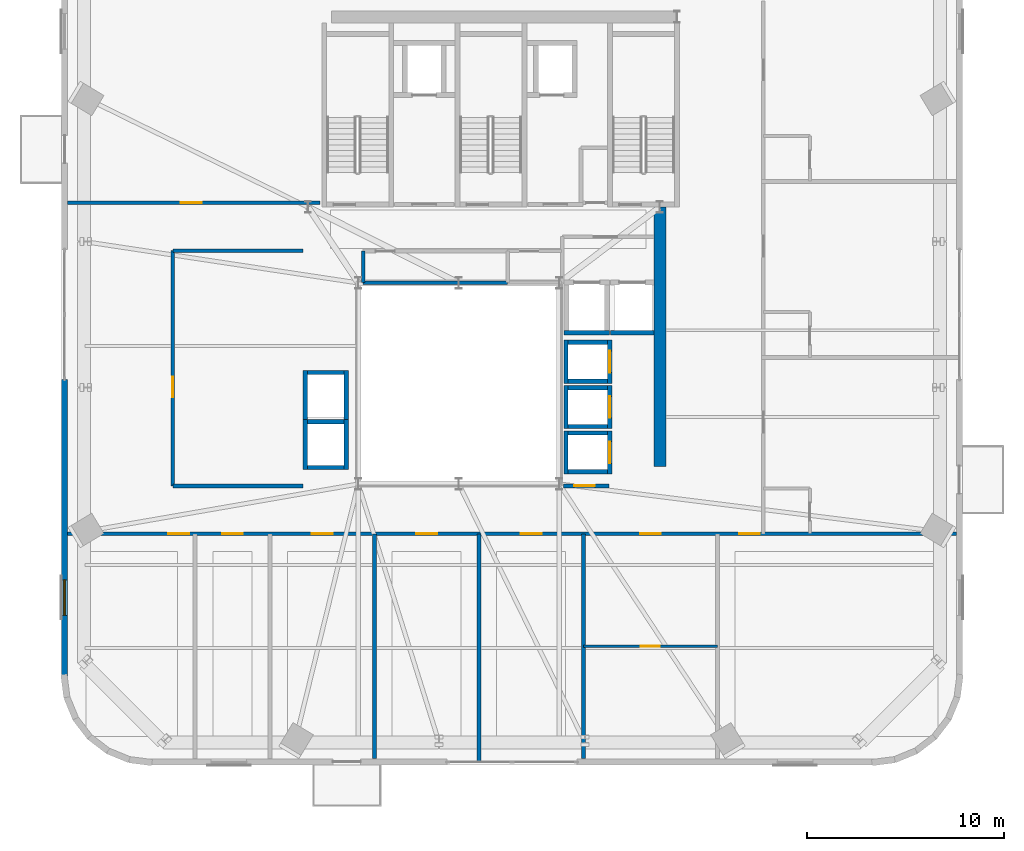
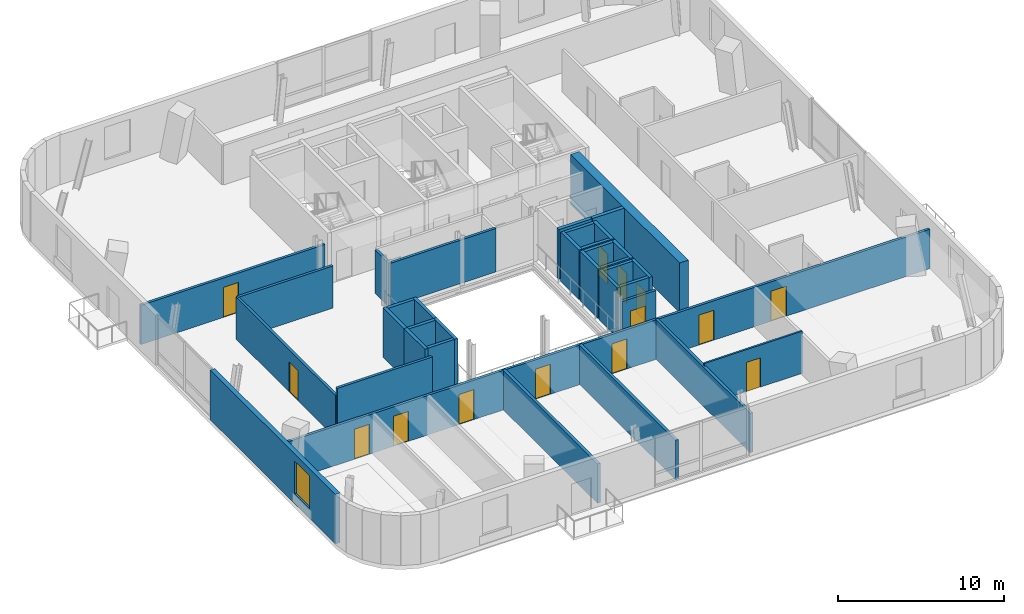
# One storey, part 8 of 15: 35 walls, 14 doors, 1 window, 15 openings.
"""IFC4 building model written with IfcOpenShell, lengths in metres."""

import ifcopenshell
import ifcopenshell.guid

model = None  # the IFC model being written
_history = None  # IfcOwnerHistory: only IFC2X3 demands one
_inside = {}  # id of a spatial element -> (the spatial element, [elements in it])
_under = {}  # id of a project, library or spatial element -> (it, [spatial elements below it])
_declared = {}  # id of a project -> (the project, [libraries it declares])
_typed = {}  # id of a type object -> (the type object, [elements of that type])
_made_of = {}  # id of a material, layer set ... -> (it, [elements and type objects made of it])


def new_model(schema):
    """Start an empty IFC model of exactly this schema.

    Asked for "IFC4X3", IfcOpenShell would pick the latest addendum, in which some entities
    have other attributes; the version numbers below select the first issue.
    IFC2X3 requires an IfcOwnerHistory on every rooted entity: one is made here for all.
    """
    global model, _history
    if schema == "IFC4X3":
        model = ifcopenshell.file(schema_version=(4, 3, 0, 0))
    else:
        model = ifcopenshell.file(schema=schema)
    _inside.clear()
    _under.clear()
    _declared.clear()
    _typed.clear()
    _made_of.clear()
    _history = None
    if model.schema == "IFC2X3":
        org = make("IfcOrganization", Name="unknown")
        user = make(
            "IfcPersonAndOrganization",
            ThePerson=make("IfcPerson", FamilyName="unknown"),
            TheOrganization=org,
        )
        app = make(
            "IfcApplication",
            ApplicationDeveloper=org,
            Version="unknown",
            ApplicationFullName="unknown",
            ApplicationIdentifier="unknown",
        )
        _history = make(
            "IfcOwnerHistory",
            OwningUser=user,
            OwningApplication=app,
            ChangeAction="ADDED",
            CreationDate=0,
        )
    return model


def make(cls, **values):
    """One entity of the class cls with the attributes given. An attribute that is None is left unset."""
    return model.create_entity(
        cls, **{name: value for name, value in values.items() if value is not None}
    )


def rooted(cls, **values):
    """An entity with a GlobalId (a new one), such as an element, a storey or a relation."""
    return make(cls, GlobalId=ifcopenshell.guid.new(), OwnerHistory=_history, **values)


def si_unit(unit_type, name, prefix=None):
    """IfcSIUnit, for example si_unit("LENGTHUNIT", "METRE", prefix="MILLI")."""
    return make("IfcSIUnit", UnitType=unit_type, Prefix=prefix, Name=name)


def assignment(units):
    """IfcUnitAssignment: the units of a project."""
    return None if units is None else make("IfcUnitAssignment", Units=units)


def point(xyz):
    """IfcCartesianPoint."""
    return None if xyz is None else make("IfcCartesianPoint", Coordinates=xyz)


def direction(xyz):
    """IfcDirection."""
    return None if xyz is None else make("IfcDirection", DirectionRatios=xyz)


def frame(location, z_axis=None, x_axis=None):
    """IfcAxis2Placement3D, a coordinate frame: its origin and axes. An axis left out is left unset."""
    return make(
        "IfcAxis2Placement3D",
        Location=point(location),
        Axis=direction(z_axis),
        RefDirection=direction(x_axis),
    )


def frame_2d(location, x_axis=None):
    """IfcAxis2Placement2D, a coordinate frame in the plane: its origin and x axis."""
    return make(
        "IfcAxis2Placement2D", Location=point(location), RefDirection=direction(x_axis)
    )


def origin():
    """The frame at (0, 0, 0) with its axes left unset."""
    return frame((0.0, 0.0, 0.0))


def place(relative_to, where):
    """IfcLocalPlacement: puts the frame where relative to a parent placement (None: the world)."""
    return make(
        "IfcLocalPlacement", PlacementRelTo=relative_to, RelativePlacement=where
    )


def context(
    kind, dimensions, precision=None, world=None, true_north=None, identifier=None
):
    """IfcGeometricRepresentationContext, for example the 3D "Model" context."""
    return make(
        "IfcGeometricRepresentationContext",
        ContextIdentifier=identifier,
        ContextType=kind,
        CoordinateSpaceDimension=dimensions,
        Precision=precision,
        WorldCoordinateSystem=world,
        TrueNorth=true_north,
    )


def subcontext(parent, identifier, kind, view, scale=None):
    """IfcGeometricRepresentationSubContext, for example "Body" below "Model"."""
    return make(
        "IfcGeometricRepresentationSubContext",
        ContextIdentifier=identifier,
        ContextType=kind,
        ParentContext=parent,
        TargetScale=scale,
        TargetView=view,
    )


def project(units=None, contexts=None):
    """IfcProject with its units and contexts."""
    return rooted(
        "IfcProject",
        Name="project",
        RepresentationContexts=contexts,
        UnitsInContext=assignment(units),
    )


def spatial(cls, under=None, at=None, **own):
    """A site, building, storey or space (cls), placed at a placement, below another one or the project."""
    s = rooted(cls, ObjectPlacement=at, **own)
    if under is not None:
        _under.setdefault(under.id(), (under, []))[1].append(s)
    return s


def profile(cls, at=None, kind="AREA", **sizes):
    """A parametric profile (cls). Its sizes go by their IFC names, for example OverallWidth=200.0."""
    return make(cls, ProfileType=kind, Position=at, **sizes)


def rectangle(**sizes):
    """IfcRectangleProfileDef."""
    return profile("IfcRectangleProfileDef", **sizes)


def extrude(swept, where, along, depth):
    """IfcExtrudedAreaSolid: the profile swept, set in the frame where, extruded along a direction by depth."""
    return make(
        "IfcExtrudedAreaSolid",
        SweptArea=swept,
        Position=where,
        ExtrudedDirection=direction(along),
        Depth=depth,
    )


def shape(context_of_items, identifier, shape_type, items):
    """IfcShapeRepresentation: the items that make up one representation, for example the "Body"."""
    return make(
        "IfcShapeRepresentation",
        ContextOfItems=context_of_items,
        RepresentationIdentifier=identifier,
        RepresentationType=shape_type,
        Items=items,
    )


def source(mapping_origin, context_of_items, identifier, shape_type, items):
    """IfcRepresentationMap: a shape defined once, which mapped items show again and again."""
    return make(
        "IfcRepresentationMap",
        MappingOrigin=mapping_origin,
        MappedRepresentation=shape(context_of_items, identifier, shape_type, items),
    )


def transform(
    local_origin,
    x_axis=None,
    y_axis=None,
    z_axis=None,
    scale=None,
    scale2=None,
    scale3=None,
    uniform=True,
):
    """IfcCartesianTransformationOperator3D, or its non-uniform kind. x_axis, y_axis, z_axis: its Axis1, 2, 3."""
    if uniform:
        return make(
            "IfcCartesianTransformationOperator3D",
            Axis1=direction(x_axis),
            Axis2=direction(y_axis),
            LocalOrigin=point(local_origin),
            Scale=scale,
            Axis3=direction(z_axis),
        )
    return make(
        "IfcCartesianTransformationOperator3DnonUniform",
        Axis1=direction(x_axis),
        Axis2=direction(y_axis),
        LocalOrigin=point(local_origin),
        Scale=scale,
        Axis3=direction(z_axis),
        Scale2=scale2,
        Scale3=scale3,
    )


def mapped(mapping_source, mapping_target):
    """IfcMappedItem: shows the shape of a source again, moved by a transform."""
    return make(
        "IfcMappedItem", MappingSource=mapping_source, MappingTarget=mapping_target
    )


def material(Name=None, Category=None):
    """IfcMaterial."""
    return make("IfcMaterial", Name=Name, Category=Category)


def layer(
    of_material, thickness, ventilated=None, Name=None, Category=None, Priority=None
):
    """IfcMaterialLayer: one layer of a wall or slab, of a material (None: an air gap)."""
    return make(
        "IfcMaterialLayer",
        Material=of_material,
        LayerThickness=thickness,
        IsVentilated=ventilated,
        Name=Name,
        Category=Category,
        Priority=Priority,
    )


def layer_set(layers, Name=None):
    """IfcMaterialLayerSet."""
    return make("IfcMaterialLayerSet", MaterialLayers=layers, LayerSetName=Name)


def made_of(thing, what):
    """Note that an element or type object is made of a material, layer set ...; save() writes the relation."""
    if what is not None:
        _made_of.setdefault(what.id(), (what, []))[1].append(thing)
    return thing


def type_object(cls, material=None, **own):
    """A type object (cls), such as IfcWallType, which elements share."""
    return made_of(rooted(cls, **own), material)


def element(
    cls,
    number,
    at=None,
    inside=None,
    cuts=None,
    type_object=None,
    material=None,
    context=None,
    identifier="Body",
    shape_type=None,
    held_by="IfcProductDefinitionShape",
    body=None,
    shapes=None,
    **own,
):
    """One element of the class cls, such as IfcWall. Its Tag is "e" and its number.

    at: its placement. inside: the storey or other place that contains it. cuts: it is an
    opening in that element (IfcRelVoidsElement). A single representation is given by context,
    identifier, shape_type and body (its items); several are given by shapes. held_by: the class
    of the entity that holds the representations. save() writes the other relations.
    """
    e = rooted(cls, Tag="e%d" % number, ObjectPlacement=at, **own)
    if body is not None:
        shapes = [shape(context, identifier, shape_type, body)]
    if shapes is not None:
        e.Representation = make(held_by, Representations=shapes)
    if inside is not None:
        _inside.setdefault(inside.id(), (inside, []))[1].append(e)
    if cuts is not None:
        rooted(
            "IfcRelVoidsElement", RelatingBuildingElement=cuts, RelatedOpeningElement=e
        )
    if type_object is not None:
        _typed.setdefault(type_object.id(), (type_object, []))[1].append(e)
    return made_of(e, material)


def fill(opening, filler):
    """IfcRelFillsElement: the door or window that sits in an opening."""
    return rooted(
        "IfcRelFillsElement",
        RelatingOpeningElement=opening,
        RelatedBuildingElement=filler,
    )


def aggregate(whole, parts):
    """IfcRelAggregates: a whole, such as a stair, and the parts it consists of."""
    return rooted("IfcRelAggregates", RelatingObject=whole, RelatedObjects=parts)


def save(model, path):
    """Write the relations noted so far, then the file.

    IfcRelAggregates (storeys below a building ...), IfcRelContainedInSpatialStructure (elements
    in a storey), IfcRelDefinesByType, IfcRelAssociatesMaterial and IfcRelDeclares: one each for
    every whole, place, type object, material and project.
    """
    for whole, parts in _under.values():
        aggregate(whole, parts)
    for where, things in _inside.values():
        rooted(
            "IfcRelContainedInSpatialStructure",
            RelatedElements=things,
            RelatingStructure=where,
        )
    for kind, things in _typed.values():
        rooted("IfcRelDefinesByType", RelatedObjects=things, RelatingType=kind)
    for what, things in _made_of.values():
        rooted("IfcRelAssociatesMaterial", RelatedObjects=things, RelatingMaterial=what)
    for by, libraries in _declared.values():
        rooted("IfcRelDeclares", RelatingContext=by, RelatedDefinitions=libraries)
    model.write(path)


model = new_model("IFC4")

# Units and contexts
model_context = context("Model", 3, precision=1e-05, world=origin(), true_north=direction((0.0, 1.0)))
body_context = subcontext(model_context, "Body", "Model", "MODEL_VIEW")
ifc_project = project(units=[si_unit("LENGTHUNIT", "METRE"), si_unit("AREAUNIT", "SQUARE_METRE"), si_unit("VOLUMEUNIT", "CUBIC_METRE"), si_unit("PLANEANGLEUNIT", "RADIAN"), si_unit("MASSUNIT", "GRAM", prefix="KILO")], contexts=[model_context])

# Site, building, storey
site_placement = place(None, origin())
site = spatial("IfcSite", under=ifc_project, at=site_placement, CompositionType="ELEMENT")
building_placement = place(site_placement, origin())
building = spatial("IfcBuilding", under=site, at=building_placement, Name="Vardaveli Station Tower", CompositionType="ELEMENT")
storey_placement = place(building_placement, frame((0.0, 0.0, 258.5)))
storey = spatial("IfcBuildingStorey", under=building, at=storey_placement, Name="L66", CompositionType="ELEMENT", Elevation=258.5)

# Wall
ifc_material_1 = material(Name="Concrete C50/60", Category="concrete")
ifc_layer_1 = layer(ifc_material_1, 0.60009765625, Name="Concrete C50/60")
ifc_layer_set_1 = layer_set([ifc_layer_1], Name="Concrete C50/60")
wall_type_1 = type_object("IfcWallType", Name="WAL-CORE-600", PredefinedType="SHEAR", material=ifc_layer_set_1)
shared_shape_1 = source(origin(), body_context, "Body", "SweptSolid", [
    extrude(rectangle(XDim=13.14990234375, YDim=0.60009765625, at=frame_2d((6.574951171875, 0.0))), origin(), (0.0, 0.0, 1.0), 3.64990234375),
])
wall_1_placement = place(storey_placement, frame((46.5, 17.5, 0.0), z_axis=(0.0, 0.0, 1.0), x_axis=(0.0, 1.0, 0.0)))
element("IfcWall", 1, at=wall_1_placement, inside=storey, type_object=wall_type_1, Name="SW-L66-EAST2", PredefinedType="SHEAR", context=body_context, shape_type="MappedRepresentation", body=[
    mapped(shared_shape_1, transform((0.0, 0.0, 0.0), scale=1.0)),
])

# Wall, opening, window
ifc_material_2 = material(Name="Precast concrete C45/55", Category="concrete")
ifc_layer_2 = layer(ifc_material_2, 0.320068359375, Name="Precast concrete C45/55")
ifc_layer_set_2 = layer_set([ifc_layer_2], Name="Precast concrete C45/55")
wall_type_2 = type_object("IfcWallType", Name="WAL-EXT-STONE-320", PredefinedType="SOLIDWALL", material=ifc_layer_set_2)
shared_shape_2 = source(origin(), body_context, "Body", "SweptSolid", [
    extrude(rectangle(XDim=15.059814453125, YDim=0.320068359375, at=frame_2d((7.52978515625, 0.0))), origin(), (0.0, 0.0, 1.0), 3.64990234375),
])
wall_2_placement = place(storey_placement, frame((16.300048828125, 21.89990234375, 0.0), z_axis=(0.0, 0.0, 1.0), x_axis=(0.0, -1.0, 0.0)))
wall_2 = element("IfcWall", 2, at=wall_2_placement, inside=storey, type_object=wall_type_2, Name="EW-L66-W2", PredefinedType="SOLIDWALL", context=body_context, shape_type="MappedRepresentation", body=[
    mapped(shared_shape_2, transform((0.0, 0.0, 0.0), scale=1.0)),
])
shared_shape_3 = source(origin(), body_context, "Body", "SweptSolid", [
    extrude(rectangle(XDim=1.800048828125, YDim=2.39990234375, at=frame_2d((0.89990234375, 1.199951171875))), frame((0.0, 0.169921875, 0.0), z_axis=(0.0, -1.0, 0.0), x_axis=(1.0, 0.0, 0.0)), (0.0, 0.0, 1.0), 0.340087890625),
])
opening_1_placement = place(wall_2_placement, frame((10.1630859375, 0.0, 0.719970703125)))
opening_1 = element("IfcOpeningElement", 3, at=opening_1_placement, cuts=wall_2, Name="Opening W-05", PredefinedType="OPENING", context=body_context, shape_type="MappedRepresentation", body=[
    mapped(shared_shape_3, transform((0.0, 0.0, 0.0), scale=1.0)),
])
ifc_material_3 = material(Name="Low-E solar-control glass", Category="glass")
window_type = type_object("IfcWindowType", Name="WIN-HIGH-1800x2400", PartitioningType="SINGLE_PANEL", PredefinedType="WINDOW", material=ifc_material_3)
shared_shape_4 = source(origin(), body_context, "Body", "SweptSolid", [
    extrude(rectangle(XDim=1.800048828125, YDim=2.39990234375, at=frame_2d((0.89990234375, 1.199951171875))), frame((0.0, 0.030029296875, 0.0), z_axis=(0.0, -1.0, 0.0), x_axis=(1.0, 0.0, 0.0)), (0.0, 0.0, 1.0), 0.06005859375),
])
window_placement = place(opening_1_placement, origin())
window = element("IfcWindow", 4, at=window_placement, inside=storey, type_object=window_type, Name="WN-L66-W2", OverallHeight=2.39990234375, OverallWidth=1.800048828125, PartitioningType="SINGLE_PANEL", PredefinedType="WINDOW", context=body_context, shape_type="MappedRepresentation", body=[
    mapped(shared_shape_4, transform((0.0, 0.0, 0.0), scale=1.0)),
])
fill(opening_1, window)

# Walls
ifc_material_4 = material(Name="Concrete C40/50", Category="concrete")
ifc_layer_3 = layer(ifc_material_4, 0.219970703125, Name="Concrete C40/50")
ifc_layer_set_3 = layer_set([ifc_layer_3], Name="Concrete C40/50")
wall_type_3 = type_object("IfcWallType", Name="WAL-FFLOBBY-220", PredefinedType="SOLIDWALL", material=ifc_layer_set_3)
shared_shape_5 = source(origin(), body_context, "Body", "SweptSolid", [
    extrude(rectangle(XDim=2.0, YDim=0.219970703125, at=frame_2d((1.0, 0.0))), origin(), (0.0, 0.0, 1.0), 3.64990234375),
])
for number, where, z_axis, x_axis, name in (
    (5, (41.85009765625, 21.81494140625, 0.0), (0.0, 0.0, 1.0), (1.0, 0.0, 0.0), "SHW-HL3-01-L66-S"),
    (6, (41.85009765625, 23.784912109375, 0.0), (0.0, 0.0, 1.0), (1.0, 0.0, 0.0), "SHW-HL3-01-L66-N"),
    (7, (41.85009765625, 19.514892578125, 0.0), (0.0, 0.0, 1.0), (1.0, 0.0, 0.0), "SHW-HL3-02-L66-S"),
    (8, (41.85009765625, 21.485107421875, 0.0), (0.0, 0.0, 1.0), (1.0, 0.0, 0.0), "SHW-HL3-02-L66-N"),
    (9, (41.85009765625, 17.215087890625, 0.0), (0.0, 0.0, 1.0), (1.0, 0.0, 0.0), "SHW-HL3-03-L66-S"),
    (10, (41.85009765625, 19.18505859375, 0.0), (0.0, 0.0, 1.0), (1.0, 0.0, 0.0), "SHW-HL3-03-L66-N"),
):
    element("IfcWall", number, at=place(storey_placement, frame(where, z_axis=z_axis, x_axis=x_axis)), inside=storey, type_object=wall_type_3, Name=name, PredefinedType="SOLIDWALL", context=body_context, shape_type="MappedRepresentation", body=[
        mapped(shared_shape_5, transform((0.0, 0.0, 0.0), scale=1.0)),
    ])
shared_shape_6 = source(origin(), body_context, "Body", "SweptSolid", [
    extrude(rectangle(XDim=2.18994140625, YDim=0.219970703125, at=frame_2d((1.094970703125, 0.0))), origin(), (0.0, 0.0, 1.0), 3.64990234375),
])
wall_3_placement = place(storey_placement, frame((41.739990234375, 21.705078125, 0.0), z_axis=(0.0, 0.0, 1.0), x_axis=(0.0, 1.0, 0.0)))
element("IfcWall", 11, at=wall_3_placement, inside=storey, type_object=wall_type_3, Name="SHW-HL3-01-L66-W", PredefinedType="SOLIDWALL", context=body_context, shape_type="MappedRepresentation", body=[
    mapped(shared_shape_6, transform((0.0, 0.0, 0.0), scale=1.0)),
])

# Wall, opening, door
wall_4_placement = place(storey_placement, frame((43.9599609375, 21.705078125, 0.0), z_axis=(0.0, 0.0, 1.0), x_axis=(0.0, 1.0, 0.0)))
wall_4 = element("IfcWall", 12, at=wall_4_placement, inside=storey, type_object=wall_type_3, Name="SHW-HL3-01-L66-E", PredefinedType="SOLIDWALL", context=body_context, shape_type="MappedRepresentation", body=[
    mapped(shared_shape_6, transform((0.0, 0.0, 0.0), scale=1.0)),
])
shared_shape_7 = source(origin(), body_context, "Body", "SweptSolid", [
    extrude(rectangle(XDim=1.10009765625, YDim=2.199951171875, at=frame_2d((0.550048828125, 1.10009765625))), frame((0.0, 0.1201171875, 0.0), z_axis=(0.0, -1.0, 0.0), x_axis=(1.0, 0.0, 0.0)), (0.0, 0.0, 1.0), 0.239990234375),
])
opening_2_placement = place(wall_4_placement, frame((0.544921875, 0.0, 0.0)))
opening_2 = element("IfcOpeningElement", 13, at=opening_2_placement, cuts=wall_4, Name="Opening LD-01", PredefinedType="OPENING", context=body_context, shape_type="MappedRepresentation", body=[
    mapped(shared_shape_7, transform((0.0, 0.0, 0.0), scale=1.0)),
])
ifc_material_5 = material(Name="Brushed stainless steel", Category="steel")
door_type_1 = type_object("IfcDoorType", Name="DR-LD-1100x2200", OperationType="DOUBLE_DOOR_SLIDING", PredefinedType="DOOR", material=ifc_material_5)
shared_shape_8 = source(origin(), body_context, "Body", "SweptSolid", [
    extrude(rectangle(XDim=1.10009765625, YDim=2.199951171875, at=frame_2d((0.550048828125, 1.10009765625))), frame((0.0, 0.02490234375, 0.0), z_axis=(0.0, -1.0, 0.0), x_axis=(1.0, 0.0, 0.0)), (0.0, 0.0, 1.0), 0.050048828125),
])
door_1_placement = place(opening_2_placement, origin())
door_1 = element("IfcDoor", 14, at=door_1_placement, inside=storey, type_object=door_type_1, Name="LD-HL3-01-L66", OperationType="DOUBLE_DOOR_SLIDING", OverallHeight=2.199951171875, OverallWidth=1.10009765625, PredefinedType="DOOR", context=body_context, shape_type="MappedRepresentation", body=[
    mapped(shared_shape_8, transform((0.0, 0.0, 0.0), scale=1.0)),
])
fill(opening_2, door_1)

# Wall
wall_5_placement = place(storey_placement, frame((41.739990234375, 19.405029296875, 0.0), z_axis=(0.0, 0.0, 1.0), x_axis=(0.0, 1.0, 0.0)))
element("IfcWall", 15, at=wall_5_placement, inside=storey, type_object=wall_type_3, Name="SHW-HL3-02-L66-W", PredefinedType="SOLIDWALL", context=body_context, shape_type="MappedRepresentation", body=[
    mapped(shared_shape_6, transform((0.0, 0.0, 0.0), scale=1.0)),
])

# Wall, opening, door
wall_6_placement = place(storey_placement, frame((43.9599609375, 19.405029296875, 0.0), z_axis=(0.0, 0.0, 1.0), x_axis=(0.0, 1.0, 0.0)))
wall_6 = element("IfcWall", 16, at=wall_6_placement, inside=storey, type_object=wall_type_3, Name="SHW-HL3-02-L66-E", PredefinedType="SOLIDWALL", context=body_context, shape_type="MappedRepresentation", body=[
    mapped(shared_shape_6, transform((0.0, 0.0, 0.0), scale=1.0)),
])
opening_3_placement = place(wall_6_placement, frame((0.544921875, 0.0, 0.0)))
opening_3 = element("IfcOpeningElement", 17, at=opening_3_placement, cuts=wall_6, Name="Opening LD-01", PredefinedType="OPENING", context=body_context, shape_type="MappedRepresentation", body=[
    mapped(shared_shape_7, transform((0.0, 0.0, 0.0), scale=1.0)),
])
door_2_placement = place(opening_3_placement, origin())
door_2 = element("IfcDoor", 18, at=door_2_placement, inside=storey, type_object=door_type_1, Name="LD-HL3-02-L66", OperationType="DOUBLE_DOOR_SLIDING", OverallHeight=2.199951171875, OverallWidth=1.10009765625, PredefinedType="DOOR", context=body_context, shape_type="MappedRepresentation", body=[
    mapped(shared_shape_8, transform((0.0, 0.0, 0.0), scale=1.0)),
])
fill(opening_3, door_2)

# Wall
wall_7_placement = place(storey_placement, frame((41.739990234375, 17.10498046875, 0.0), z_axis=(0.0, 0.0, 1.0), x_axis=(0.0, 1.0, 0.0)))
element("IfcWall", 19, at=wall_7_placement, inside=storey, type_object=wall_type_3, Name="SHW-HL3-03-L66-W", PredefinedType="SOLIDWALL", context=body_context, shape_type="MappedRepresentation", body=[
    mapped(shared_shape_6, transform((0.0, 0.0, 0.0), scale=1.0)),
])

# Wall, opening, door
wall_8_placement = place(storey_placement, frame((43.9599609375, 17.10498046875, 0.0), z_axis=(0.0, 0.0, 1.0), x_axis=(0.0, 1.0, 0.0)))
wall_8 = element("IfcWall", 20, at=wall_8_placement, inside=storey, type_object=wall_type_3, Name="SHW-HL3-03-L66-E", PredefinedType="SOLIDWALL", context=body_context, shape_type="MappedRepresentation", body=[
    mapped(shared_shape_6, transform((0.0, 0.0, 0.0), scale=1.0)),
])
opening_4_placement = place(wall_8_placement, frame((0.544921875, 0.0, 0.0)))
opening_4 = element("IfcOpeningElement", 21, at=opening_4_placement, cuts=wall_8, Name="Opening LD-01", PredefinedType="OPENING", context=body_context, shape_type="MappedRepresentation", body=[
    mapped(shared_shape_7, transform((0.0, 0.0, 0.0), scale=1.0)),
])
door_3_placement = place(opening_4_placement, origin())
door_3 = element("IfcDoor", 22, at=door_3_placement, inside=storey, type_object=door_type_1, Name="LD-HL3-03-L66", OperationType="DOUBLE_DOOR_SLIDING", OverallHeight=2.199951171875, OverallWidth=1.10009765625, PredefinedType="DOOR", context=body_context, shape_type="MappedRepresentation", body=[
    mapped(shared_shape_8, transform((0.0, 0.0, 0.0), scale=1.0)),
])
fill(opening_4, door_3)

# Walls
shared_shape_9 = source(origin(), body_context, "Body", "SweptSolid", [
    extrude(rectangle(XDim=1.85009765625, YDim=0.219970703125, at=frame_2d((0.925048828125, 0.0))), origin(), (0.0, 0.0, 1.0), 3.64990234375),
])
for number, where, z_axis, x_axis, name in (
    (23, (28.625, 17.43994140625, 0.0), (0.0, 0.0, 1.0), (1.0, 0.0, 0.0), "SHW-OBS-01-L66-S"),
    (24, (28.625, 19.760009765625, 0.0), (0.0, 0.0, 1.0), (1.0, 0.0, 0.0), "SHW-OBS-01-L66-N"),
    (25, (28.625, 22.260009765625, 0.0), (0.0, 0.0, 1.0), (1.0, 0.0, 0.0), "SHW-OBS-02-L66-N"),
):
    element("IfcWall", number, at=place(storey_placement, frame(where, z_axis=z_axis, x_axis=x_axis)), inside=storey, type_object=wall_type_3, Name=name, PredefinedType="SOLIDWALL", context=body_context, shape_type="MappedRepresentation", body=[
        mapped(shared_shape_9, transform((0.0, 0.0, 0.0), scale=1.0)),
    ])
shared_shape_10 = source(origin(), body_context, "Body", "SweptSolid", [
    extrude(rectangle(XDim=2.5400390625, YDim=0.219970703125, at=frame_2d((1.27001953125, 0.0))), origin(), (0.0, 0.0, 1.0), 3.64990234375),
])
for number, where, z_axis, x_axis, name in (
    (26, (28.514892578125, 17.330078125, 0.0), (0.0, 0.0, 1.0), (0.0, 1.0, 0.0), "SHW-OBS-01-L66-W"),
    (27, (30.5849609375, 17.330078125, 0.0), (0.0, 0.0, 1.0), (0.0, 1.0, 0.0), "SHW-OBS-01-L66-E"),
    (28, (28.514892578125, 19.830078125, 0.0), (0.0, 0.0, 1.0), (0.0, 1.0, 0.0), "SHW-OBS-02-L66-W"),
    (29, (30.5849609375, 19.830078125, 0.0), (0.0, 0.0, 1.0), (0.0, 1.0, 0.0), "SHW-OBS-02-L66-E"),
):
    element("IfcWall", number, at=place(storey_placement, frame(where, z_axis=z_axis, x_axis=x_axis)), inside=storey, type_object=wall_type_3, Name=name, PredefinedType="SOLIDWALL", context=body_context, shape_type="MappedRepresentation", body=[
        mapped(shared_shape_10, transform((0.0, 0.0, 0.0), scale=1.0)),
    ])
ifc_layer_4 = layer(ifc_material_4, 0.25, Name="Concrete C40/50")
ifc_layer_set_4 = layer_set([ifc_layer_4], Name="Concrete C40/50")
wall_type_4 = type_object("IfcWallType", Name="WAL-SHAFT-250", PredefinedType="SOLIDWALL", material=ifc_layer_set_4)
shared_shape_11 = source(origin(), body_context, "Body", "SweptSolid", [
    extrude(rectangle(XDim=2.300048828125, YDim=0.25, at=frame_2d((1.14990234375, 0.0))), origin(), (0.0, 0.0, 1.0), 3.64990234375),
])
wall_9_placement = place(storey_placement, frame((41.64990234375, 24.27490234375, 0.0), z_axis=(0.0, 0.0, 1.0), x_axis=(1.0, 0.0, 0.0)))
element("IfcWall", 30, at=wall_9_placement, inside=storey, type_object=wall_type_4, Name="SHW-SRV-01-L66-S", PredefinedType="SOLIDWALL", context=body_context, shape_type="MappedRepresentation", body=[
    mapped(shared_shape_11, transform((0.0, 0.0, 0.0), scale=1.0)),
])
shared_shape_12 = source(origin(), body_context, "Body", "SweptSolid", [
    extrude(rectangle(XDim=2.199951171875, YDim=0.25, at=frame_2d((1.10009765625, 0.0))), origin(), (0.0, 0.0, 1.0), 3.64990234375),
])
wall_10_placement = place(storey_placement, frame((44.0, 24.27490234375, 0.0), z_axis=(0.0, 0.0, 1.0), x_axis=(1.0, 0.0, 0.0)))
element("IfcWall", 31, at=wall_10_placement, inside=storey, type_object=wall_type_4, Name="SHW-SRV-02-L66-S", PredefinedType="SOLIDWALL", context=body_context, shape_type="MappedRepresentation", body=[
    mapped(shared_shape_12, transform((0.0, 0.0, 0.0), scale=1.0)),
])
ifc_material_6 = material(Name="Fire-rated gypsum stud partition")
ifc_layer_5 = layer(ifc_material_6, 0.179931640625, Name="Fire-rated gypsum stud partition")
ifc_layer_set_5 = layer_set([ifc_layer_5], Name="Fire-rated gypsum stud partition")
wall_type_5 = type_object("IfcWallType", Name="WAL-CORR-180", PredefinedType="PARTITIONING", material=ifc_layer_set_5)
shared_shape_13 = source(origin(), body_context, "Body", "SweptSolid", [
    extrude(rectangle(XDim=7.330078125, YDim=0.179931640625, at=frame_2d((3.6650390625, 0.0))), origin(), (0.0, 0.0, 1.0), 3.19189453125),
])
wall_11_placement = place(storey_placement, frame((31.449951171875, 26.820068359375, 0.0), z_axis=(0.0, 0.0, 1.0), x_axis=(1.0, 0.0, 0.0)))
element("IfcWall", 32, at=wall_11_placement, inside=storey, type_object=wall_type_5, Name="W-L66-HKP0-S", PredefinedType="PARTITIONING", context=body_context, shape_type="MappedRepresentation", body=[
    mapped(shared_shape_13, transform((0.0, 0.0, 0.0), scale=1.0)),
])

# Wall, opening, door
shared_shape_14 = source(origin(), body_context, "Body", "SweptSolid", [
    extrude(rectangle(XDim=2.329833984375, YDim=0.179931640625, at=frame_2d((1.1650390625, 0.0))), origin(), (0.0, 0.0, 1.0), 3.092041015625),
])
wall_12_placement = place(storey_placement, frame((41.60009765625, 16.5, 0.0), z_axis=(0.0, 0.0, 1.0), x_axis=(1.0, 0.0, 0.0)))
wall_12 = element("IfcWall", 33, at=wall_12_placement, inside=storey, type_object=wall_type_5, Name="W-L66-ATE-S", PredefinedType="PARTITIONING", context=body_context, shape_type="MappedRepresentation", body=[
    mapped(shared_shape_14, transform((0.0, 0.0, 0.0), scale=1.0)),
])
shared_shape_15 = source(origin(), body_context, "Body", "SweptSolid", [
    extrude(rectangle(XDim=1.050048828125, YDim=2.199951171875, at=frame_2d((0.52490234375, 1.10009765625))), frame((0.0, 0.10009765625, 0.0), z_axis=(0.0, -1.0, 0.0), x_axis=(1.0, 0.0, 0.0)), (0.0, 0.0, 1.0), 0.199951171875),
])
opening_5_placement = place(wall_12_placement, frame((0.550048828125, 0.0, 0.0)))
opening_5 = element("IfcOpeningElement", 34, at=opening_5_placement, cuts=wall_12, Name="Opening D-05", PredefinedType="OPENING", context=body_context, shape_type="MappedRepresentation", body=[
    mapped(shared_shape_15, transform((0.0, 0.0, 0.0), scale=1.0)),
])
ifc_material_7 = material(Name="Walnut veneer acoustic fire door")
door_type_2 = type_object("IfcDoorType", Name="DR-SUITE-1050x2200", OperationType="NOTDEFINED", PredefinedType="DOOR", material=ifc_material_7)
shared_shape_16 = source(origin(), body_context, "Body", "SweptSolid", [
    extrude(rectangle(XDim=1.050048828125, YDim=2.199951171875, at=frame_2d((0.52490234375, 1.10009765625))), frame((0.0, 0.02490234375, 0.0), z_axis=(0.0, -1.0, 0.0), x_axis=(1.0, 0.0, 0.0)), (0.0, 0.0, 1.0), 0.050048828125),
])
door_4_placement = place(opening_5_placement, origin())
door_4 = element("IfcDoor", 35, at=door_4_placement, inside=storey, type_object=door_type_2, Name="D-L66-ATE1", OperationType="SINGLE_SWING_RIGHT", OverallHeight=2.199951171875, OverallWidth=1.050048828125, PredefinedType="DOOR", context=body_context, shape_type="MappedRepresentation", body=[
    mapped(shared_shape_16, transform((0.0, 0.0, 0.0), scale=1.0)),
])
fill(opening_5, door_4)

# Wall
shared_shape_17 = source(origin(), body_context, "Body", "SweptSolid", [
    extrude(rectangle(XDim=1.599853515625, YDim=0.179931640625, at=frame_2d((0.7998046875, 0.0))), origin(), (0.0, 0.0, 1.0), 3.19189453125),
])
wall_13_placement = place(storey_placement, frame((31.449951171875, 26.820068359375, 0.0), z_axis=(0.0, 0.0, 1.0), x_axis=(0.0, 1.0, 0.0)))
element("IfcWall", 36, at=wall_13_placement, inside=storey, type_object=wall_type_5, Name="W-L66-HKP0-W", PredefinedType="PARTITIONING", context=body_context, shape_type="MappedRepresentation", body=[
    mapped(shared_shape_17, transform((0.0, 0.0, 0.0), scale=1.0)),
])

# Wall, openings, doors
shared_shape_18 = source(origin(), body_context, "Body", "SweptSolid", [
    extrude(rectangle(XDim=45.076171875, YDim=0.179931640625, at=frame_2d((22.5380859375, 0.0))), origin(), (0.0, 0.0, 1.0), 2.89208984375),
])
wall_14_placement = place(storey_placement, frame((16.4619140625, 14.070068359375, 0.0), z_axis=(0.0, 0.0, 1.0), x_axis=(1.0, 0.0, 0.0)))
wall_14 = element("IfcWall", 37, at=wall_14_placement, inside=storey, type_object=wall_type_5, Name="W-L66-CS", PredefinedType="PARTITIONING", context=body_context, shape_type="MappedRepresentation", body=[
    mapped(shared_shape_18, transform((0.0, 0.0, 0.0), scale=1.0)),
])
opening_6_placement = place(wall_14_placement, frame((5.109375, 0.0, 0.0)))
opening_6 = element("IfcOpeningElement", 38, at=opening_6_placement, cuts=wall_14, Name="Opening D-05", PredefinedType="OPENING", context=body_context, shape_type="MappedRepresentation", body=[
    mapped(shared_shape_15, transform((0.0, 0.0, 0.0), scale=1.0)),
])
opening_7_placement = place(wall_14_placement, frame((7.839111328125, 0.0, 0.0)))
opening_7 = element("IfcOpeningElement", 39, at=opening_7_placement, cuts=wall_14, Name="Opening D-05", PredefinedType="OPENING", context=body_context, shape_type="MappedRepresentation", body=[
    mapped(shared_shape_15, transform((0.0, 0.0, 0.0), scale=1.0)),
])
opening_8_placement = place(wall_14_placement, frame((12.388916015625, 0.0, 0.0)))
opening_8 = element("IfcOpeningElement", 40, at=opening_8_placement, cuts=wall_14, Name="Opening D-05", PredefinedType="OPENING", context=body_context, shape_type="MappedRepresentation", body=[
    mapped(shared_shape_15, transform((0.0, 0.0, 0.0), scale=1.0)),
])
opening_9_placement = place(wall_14_placement, frame((17.688720703125, 0.0, 0.0)))
opening_9 = element("IfcOpeningElement", 41, at=opening_9_placement, cuts=wall_14, Name="Opening D-05", PredefinedType="OPENING", context=body_context, shape_type="MappedRepresentation", body=[
    mapped(shared_shape_15, transform((0.0, 0.0, 0.0), scale=1.0)),
])
opening_10_placement = place(wall_14_placement, frame((22.98828125, 0.0, 0.0)))
opening_10 = element("IfcOpeningElement", 42, at=opening_10_placement, cuts=wall_14, Name="Opening D-05", PredefinedType="OPENING", context=body_context, shape_type="MappedRepresentation", body=[
    mapped(shared_shape_15, transform((0.0, 0.0, 0.0), scale=1.0)),
])
opening_11_placement = place(wall_14_placement, frame((29.0380859375, 0.0, 0.0)))
opening_11 = element("IfcOpeningElement", 43, at=opening_11_placement, cuts=wall_14, Name="Opening D-05", PredefinedType="OPENING", context=body_context, shape_type="MappedRepresentation", body=[
    mapped(shared_shape_15, transform((0.0, 0.0, 0.0), scale=1.0)),
])
opening_12_placement = place(wall_14_placement, frame((34.05810546875, 0.0, 0.0)))
opening_12 = element("IfcOpeningElement", 44, at=opening_12_placement, cuts=wall_14, Name="Opening D-05", PredefinedType="OPENING", context=body_context, shape_type="MappedRepresentation", body=[
    mapped(shared_shape_15, transform((0.0, 0.0, 0.0), scale=1.0)),
])
door_5_placement = place(opening_6_placement, origin())
door_5 = element("IfcDoor", 45, at=door_5_placement, inside=storey, type_object=door_type_2, Name="D-L66-SA1", OperationType="SINGLE_SWING_RIGHT", OverallHeight=2.199951171875, OverallWidth=1.050048828125, PredefinedType="DOOR", context=body_context, shape_type="MappedRepresentation", body=[
    mapped(shared_shape_16, transform((0.0, 0.0, 0.0), scale=1.0)),
])
fill(opening_6, door_5)
door_6_placement = place(opening_7_placement, origin())
door_6 = element("IfcDoor", 46, at=door_6_placement, inside=storey, type_object=door_type_2, Name="D-L66-SA2", OperationType="SINGLE_SWING_LEFT", OverallHeight=2.199951171875, OverallWidth=1.050048828125, PredefinedType="DOOR", context=body_context, shape_type="MappedRepresentation", body=[
    mapped(shared_shape_16, transform((0.0, 0.0, 0.0), scale=1.0)),
])
fill(opening_7, door_6)
door_7_placement = place(opening_8_placement, origin())
door_7 = element("IfcDoor", 47, at=door_7_placement, inside=storey, type_object=door_type_2, Name="D-L66-SA3", OperationType="SINGLE_SWING_RIGHT", OverallHeight=2.199951171875, OverallWidth=1.050048828125, PredefinedType="DOOR", context=body_context, shape_type="MappedRepresentation", body=[
    mapped(shared_shape_16, transform((0.0, 0.0, 0.0), scale=1.0)),
])
fill(opening_8, door_7)
door_8_placement = place(opening_9_placement, origin())
door_8 = element("IfcDoor", 48, at=door_8_placement, inside=storey, type_object=door_type_2, Name="D-L66-SA4", OperationType="SINGLE_SWING_LEFT", OverallHeight=2.199951171875, OverallWidth=1.050048828125, PredefinedType="DOOR", context=body_context, shape_type="MappedRepresentation", body=[
    mapped(shared_shape_16, transform((0.0, 0.0, 0.0), scale=1.0)),
])
fill(opening_9, door_8)
door_9_placement = place(opening_10_placement, origin())
door_9 = element("IfcDoor", 49, at=door_9_placement, inside=storey, type_object=door_type_2, Name="D-L66-SA5", OperationType="SINGLE_SWING_RIGHT", OverallHeight=2.199951171875, OverallWidth=1.050048828125, PredefinedType="DOOR", context=body_context, shape_type="MappedRepresentation", body=[
    mapped(shared_shape_16, transform((0.0, 0.0, 0.0), scale=1.0)),
])
fill(opening_10, door_9)
door_10_placement = place(opening_11_placement, origin())
door_10 = element("IfcDoor", 50, at=door_10_placement, inside=storey, type_object=door_type_2, Name="D-L66-SCB6", OperationType="SINGLE_SWING_LEFT", OverallHeight=2.199951171875, OverallWidth=1.050048828125, PredefinedType="DOOR", context=body_context, shape_type="MappedRepresentation", body=[
    mapped(shared_shape_16, transform((0.0, 0.0, 0.0), scale=1.0)),
])
fill(opening_11, door_10)
door_11_placement = place(opening_12_placement, origin())
door_11 = element("IfcDoor", 51, at=door_11_placement, inside=storey, type_object=door_type_2, Name="D-L66-SA7", OperationType="SINGLE_SWING_RIGHT", OverallHeight=2.199951171875, OverallWidth=1.050048828125, PredefinedType="DOOR", context=body_context, shape_type="MappedRepresentation", body=[
    mapped(shared_shape_16, transform((0.0, 0.0, 0.0), scale=1.0)),
])
fill(opening_12, door_11)

# Wall, opening, door
shared_shape_19 = source(origin(), body_context, "Body", "SweptSolid", [
    extrude(rectangle(XDim=12.7880859375, YDim=0.179931640625, at=frame_2d((6.39404296875, 0.0))), origin(), (0.0, 0.0, 1.0), 2.89208984375),
])
wall_15_placement = place(storey_placement, frame((16.4619140625, 30.8798828125, 0.0), z_axis=(0.0, 0.0, 1.0), x_axis=(1.0, 0.0, 0.0)))
wall_15 = element("IfcWall", 52, at=wall_15_placement, inside=storey, type_object=wall_type_5, Name="W-L66-CNWS", PredefinedType="PARTITIONING", context=body_context, shape_type="MappedRepresentation", body=[
    mapped(shared_shape_19, transform((0.0, 0.0, 0.0), scale=1.0)),
])
opening_13_placement = place(wall_15_placement, frame((5.738037109375, 0.0, 0.0)))
opening_13 = element("IfcOpeningElement", 53, at=opening_13_placement, cuts=wall_15, Name="Opening D-05", PredefinedType="OPENING", context=body_context, shape_type="MappedRepresentation", body=[
    mapped(shared_shape_15, transform((0.0, 0.0, 0.0), scale=1.0)),
])
door_12_placement = place(opening_13_placement, origin())
door_12 = element("IfcDoor", 54, at=door_12_placement, inside=storey, type_object=door_type_2, Name="D-L66-GNW1", OperationType="SINGLE_SWING_LEFT", OverallHeight=2.199951171875, OverallWidth=1.050048828125, PredefinedType="DOOR", context=body_context, shape_type="MappedRepresentation", body=[
    mapped(shared_shape_16, transform((0.0, 0.0, 0.0), scale=1.0)),
])
fill(opening_13, door_12)

shared_shape_20 = source(origin(), body_context, "Body", "SweptSolid", [
    extrude(rectangle(XDim=11.93994140625, YDim=0.179931640625, at=frame_2d((5.969970703125, 0.0))), origin(), (0.0, 0.0, 1.0), 3.092041015625),
])
wall_16_placement = place(storey_placement, frame((21.800048828125, 16.5, 0.0), z_axis=(0.0, 0.0, 1.0), x_axis=(0.0, 1.0, 0.0)))
wall_16 = element("IfcWall", 55, at=wall_16_placement, inside=storey, type_object=wall_type_5, Name="W-L66-ATW-W", PredefinedType="PARTITIONING", context=body_context, shape_type="MappedRepresentation", body=[
    mapped(shared_shape_20, transform((0.0, 0.0, 0.0), scale=1.0)),
])
opening_14_placement = place(wall_16_placement, frame((4.5, 0.0, 0.0)))
opening_14 = element("IfcOpeningElement", 56, at=opening_14_placement, cuts=wall_16, Name="Opening D-05", PredefinedType="OPENING", context=body_context, shape_type="MappedRepresentation", body=[
    mapped(shared_shape_15, transform((0.0, 0.0, 0.0), scale=1.0)),
])
door_13_placement = place(opening_14_placement, origin())
door_13 = element("IfcDoor", 57, at=door_13_placement, inside=storey, type_object=door_type_2, Name="D-L66-ATW1", OperationType="SINGLE_SWING_RIGHT", OverallHeight=2.199951171875, OverallWidth=1.050048828125, PredefinedType="DOOR", context=body_context, shape_type="MappedRepresentation", body=[
    mapped(shared_shape_16, transform((0.0, 0.0, 0.0), scale=1.0)),
])
fill(opening_14, door_13)

ifc_material_8 = material(Name="Gypsum board stud partition")
ifc_layer_6 = layer(ifc_material_8, 0.125, Name="Gypsum board stud partition")
ifc_layer_set_6 = layer_set([ifc_layer_6], Name="Gypsum board stud partition")
wall_type_6 = type_object("IfcWallType", Name="WAL-INT-125", PredefinedType="PARTITIONING", material=ifc_layer_set_6)
shared_shape_21 = source(origin(), body_context, "Body", "SweptSolid", [
    extrude(rectangle(XDim=6.7998046875, YDim=0.125, at=frame_2d((3.39990234375, 0.0))), origin(), (0.0, 0.0, 1.0), 3.092041015625),
])
wall_17_placement = place(storey_placement, frame((42.6201171875, 8.3798828125, 0.0), z_axis=(0.0, 0.0, 1.0), x_axis=(1.0, 0.0, 0.0)))
wall_17 = element("IfcWall", 58, at=wall_17_placement, inside=storey, type_object=wall_type_6, Name="W-L66-SCM6", PredefinedType="PARTITIONING", context=body_context, shape_type="MappedRepresentation", body=[
    mapped(shared_shape_21, transform((0.0, 0.0, 0.0), scale=1.0)),
])
shared_shape_22 = source(origin(), body_context, "Body", "SweptSolid", [
    extrude(rectangle(XDim=0.949951171875, YDim=2.14990234375, at=frame_2d((0.47509765625, 1.074951171875))), frame((0.0, 0.072509765625, 0.0), z_axis=(0.0, -1.0, 0.0), x_axis=(1.0, 0.0, 0.0)), (0.0, 0.0, 1.0), 0.14501953125),
])
opening_15_placement = place(wall_17_placement, frame((2.919921875, 0.0, 0.0)))
opening_15 = element("IfcOpeningElement", 59, at=opening_15_placement, cuts=wall_17, Name="Opening D-11", PredefinedType="OPENING", context=body_context, shape_type="MappedRepresentation", body=[
    mapped(shared_shape_22, transform((0.0, 0.0, 0.0), scale=1.0)),
])
ifc_material_9 = material(Name="Oak veneer internal suite door")
door_type_3 = type_object("IfcDoorType", Name="DR-INT-950x2150", OperationType="NOTDEFINED", PredefinedType="DOOR", material=ifc_material_9)
shared_shape_23 = source(origin(), body_context, "Body", "SweptSolid", [
    extrude(rectangle(XDim=0.949951171875, YDim=2.14990234375, at=frame_2d((0.47509765625, 1.074951171875))), frame((0.0, 0.02490234375, 0.0), z_axis=(0.0, -1.0, 0.0), x_axis=(1.0, 0.0, 0.0)), (0.0, 0.0, 1.0), 0.050048828125),
])
door_14_placement = place(opening_15_placement, origin())
door_14 = element("IfcDoor", 60, at=door_14_placement, inside=storey, type_object=door_type_3, Name="D-L66-SCF6", OperationType="SINGLE_SWING_RIGHT", OverallHeight=2.14990234375, OverallWidth=0.949951171875, PredefinedType="DOOR", context=body_context, shape_type="MappedRepresentation", body=[
    mapped(shared_shape_23, transform((0.0, 0.0, 0.0), scale=1.0)),
])
fill(opening_15, door_14)

# Walls
ifc_material_10 = material(Name="Acoustic twin-stud gypsum partition")
ifc_layer_7 = layer(ifc_material_10, 0.199951171875, Name="Acoustic twin-stud gypsum partition")
ifc_layer_set_7 = layer_set([ifc_layer_7], Name="Acoustic twin-stud gypsum partition")
wall_type_7 = type_object("IfcWallType", Name="WAL-PARTY-200", PredefinedType="PARTITIONING", material=ifc_layer_set_7)
shared_shape_24 = source(origin(), body_context, "Body", "SweptSolid", [
    extrude(rectangle(XDim=11.407958984375, YDim=0.199951171875, at=frame_2d((5.7041015625, 0.0))), origin(), (0.0, 0.0, 1.0), 2.89208984375),
])
for number, where, z_axis, x_axis, name in (
    (61, (32.02099609375, 2.662109375, 0.0), (0.0, 0.0, 1.0), (0.0, 1.0, 0.0), "W-L66-PS3"),
    (62, (42.6201171875, 2.662109375, 0.0), (0.0, 0.0, 1.0), (0.0, 1.0, 0.0), "W-L66-PS5"),
):
    element("IfcWall", number, at=place(storey_placement, frame(where, z_axis=z_axis, x_axis=x_axis)), inside=storey, type_object=wall_type_7, Name=name, PredefinedType="PARTITIONING", context=body_context, shape_type="MappedRepresentation", body=[
        mapped(shared_shape_24, transform((0.0, 0.0, 0.0), scale=1.0)),
    ])
shared_shape_25 = source(origin(), body_context, "Body", "SweptSolid", [
    extrude(rectangle(XDim=11.60009765625, YDim=0.199951171875, at=frame_2d((5.800048828125, 0.0))), origin(), (0.0, 0.0, 1.0), 2.89208984375),
])
wall_18_placement = place(storey_placement, frame((37.321044921875, 2.469970703125, 0.0), z_axis=(0.0, 0.0, 1.0), x_axis=(0.0, 1.0, 0.0)))
element("IfcWall", 63, at=wall_18_placement, inside=storey, type_object=wall_type_7, Name="W-L66-PS4", PredefinedType="PARTITIONING", context=body_context, shape_type="MappedRepresentation", body=[
    mapped(shared_shape_25, transform((0.0, 0.0, 0.0), scale=1.0)),
])
shared_shape_26 = source(origin(), body_context, "Body", "SweptSolid", [
    extrude(rectangle(XDim=6.599853515625, YDim=0.179931640625, at=frame_2d((3.2998046875, 0.0))), origin(), (0.0, 0.0, 1.0), 3.64990234375),
])
wall_19_placement = place(storey_placement, frame((21.800048828125, 16.5, 0.0), z_axis=(0.0, 0.0, 1.0), x_axis=(1.0, 0.0, 0.0)))
element("IfcWall", 64, at=wall_19_placement, inside=storey, type_object=wall_type_5, Name="W-L66-ATW-S", PredefinedType="PARTITIONING", context=body_context, shape_type="MappedRepresentation", body=[
    mapped(shared_shape_26, transform((0.0, 0.0, 0.0), scale=1.0)),
])
shared_shape_27 = source(origin(), body_context, "Body", "SweptSolid", [
    extrude(rectangle(XDim=6.599853515625, YDim=0.179931640625, at=frame_2d((3.2998046875, 0.0))), origin(), (0.0, 0.0, 1.0), 3.092041015625),
])
wall_20_placement = place(storey_placement, frame((21.800048828125, 28.43994140625, 0.0), z_axis=(0.0, 0.0, 1.0), x_axis=(1.0, 0.0, 0.0)))
element("IfcWall", 65, at=wall_20_placement, inside=storey, type_object=wall_type_5, Name="W-L66-ATW-N", PredefinedType="PARTITIONING", context=body_context, shape_type="MappedRepresentation", body=[
    mapped(shared_shape_27, transform((0.0, 0.0, 0.0), scale=1.0)),
])

save(model, "model.ifc")
